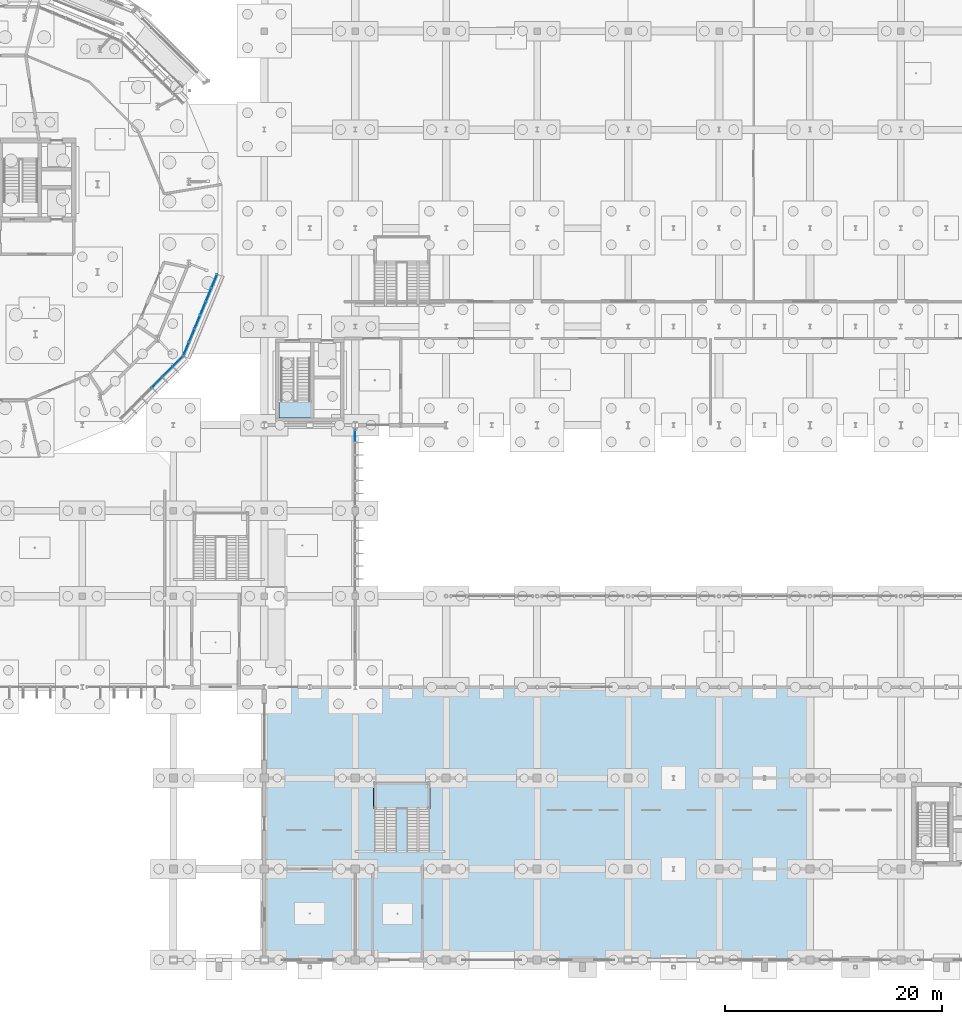
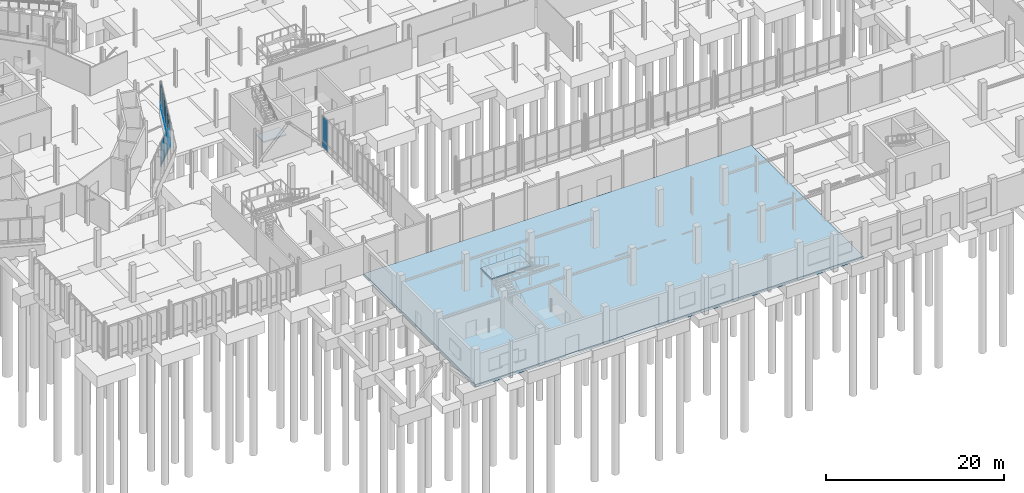
# One storey, part 67 of 119: 20 plates, 3 slabs, 5 elements without a shape of their own.
"""IFC4 building model written with IfcOpenShell, lengths in metres."""

from ifc_helpers import new_model, si_unit, derived_unit, direction, frame, origin, origin_2d, place, context, subcontext, project, spatial, polyline, rectangle, outline, extrude, material, layer, layer_set, type_object, element, aggregate, save


model = new_model("IFC4")

# Units and contexts
model_context = context("Model", 3, precision=1e-05, world=origin(), true_north=direction((0.0, 1.0)))
body_context = subcontext(model_context, "Body", "Model", "MODEL_VIEW")
ifc_project = project(units=[si_unit("LENGTHUNIT", "METRE"), si_unit("AREAUNIT", "SQUARE_METRE"), si_unit("VOLUMEUNIT", "CUBIC_METRE"), si_unit("PLANEANGLEUNIT", "RADIAN"), si_unit("MASSUNIT", "GRAM", prefix="KILO"), derived_unit("THERMALTRANSMITTANCEUNIT", [(si_unit("MASSUNIT", "GRAM", prefix="KILO"), 1), (si_unit("TIMEUNIT", "SECOND"), -3), (si_unit("THERMODYNAMICTEMPERATUREUNIT", "KELVIN"), -1)])], contexts=[model_context])

# Site, building, storey
site_placement = place(None, origin())
site = spatial("IfcSite", under=ifc_project, at=site_placement, CompositionType="ELEMENT")
building_placement = place(site_placement, origin())
building = spatial("IfcBuilding", under=site, at=building_placement, Name="Makaiwela Harbour Ferry Terminal", CompositionType="ELEMENT")
storey_placement = place(building_placement, origin())
storey = spatial("IfcBuildingStorey", under=building, at=storey_placement, Name="L00", CompositionType="ELEMENT", Elevation=0.0)

# Curtain wall, plates
ifc_material_1 = material(Name="Marine anodised aluminium 6063-T6", Category="aluminium")
ifc_layer_1 = layer(ifc_material_1, 0.199951171875)
ifc_layer_set_1 = layer_set([ifc_layer_1], Name="Marine anodised aluminium 6063-T6")
curtain_wall_type_1 = type_object("IfcCurtainWallType", Name="ENV-CW-01", PredefinedType="USERDEFINED", material=ifc_layer_set_1)
curtain_wall_1_placement = place(storey_placement, origin())
curtain_wall_1 = element("IfcCurtainWall", 1, at=curtain_wall_1_placement, inside=storey, type_object=curtain_wall_type_1, Name="Unitised Curtain Wall CWA-009", ObjectType="UNITIZED CURTAIN WALL", PredefinedType="USERDEFINED")
ifc_material_2 = material(Name="Laminated hurricane-impact low-E insulated glazing", Category="glass")
ifc_layer_2 = layer(ifc_material_2, 0.031982421875)
ifc_layer_set_2 = layer_set([ifc_layer_2], Name="Laminated hurricane-impact low-E insulated glazing")
plate_type_1 = type_object("IfcPlateType", Name="CW-PNL-G02", PredefinedType="CURTAIN_PANEL", material=ifc_layer_set_2)
plate_1_placement = place(storey_placement, frame((53.09326171875, 53.365234375, 1.900146484375), z_axis=(0.0, 0.0, 1.0), x_axis=(0.707106781187, 0.707106781187, 0.0)))
plate_1 = element("IfcPlate", 2, at=plate_1_placement, type_object=plate_type_1, Name="Glazed Vision Panel CWA-009-4G", PredefinedType="CURTAIN_PANEL", context=body_context, shape_type="SweptSolid", body=[
    extrude(rectangle(XDim=1.355712890625, YDim=0.031982421875, at=origin_2d()), origin(), (0.0, 0.0, 1.0), 2.919921875),
])
plate_2_placement = place(storey_placement, frame((54.0517578125, 54.323974609375, 1.900146484375), z_axis=(0.0, 0.0, 1.0), x_axis=(0.707106781187, 0.707106781187, 0.0)))
plate_2 = element("IfcPlate", 3, at=plate_2_placement, type_object=plate_type_1, Name="Glazed Vision Panel CWA-009-5G", PredefinedType="CURTAIN_PANEL", context=body_context, shape_type="SweptSolid", body=[
    extrude(rectangle(XDim=1.355712890625, YDim=0.031982421875, at=origin_2d()), origin(), (0.0, 0.0, 1.0), 2.919921875),
])
plate_3_placement = place(storey_placement, frame((55.010498046875, 55.282470703125, 1.900146484375), z_axis=(0.0, 0.0, 1.0), x_axis=(0.707106781187, 0.707106781187, 0.0)))
plate_3 = element("IfcPlate", 4, at=plate_3_placement, type_object=plate_type_1, Name="Glazed Vision Panel CWA-009-6G", PredefinedType="CURTAIN_PANEL", context=body_context, shape_type="SweptSolid", body=[
    extrude(rectangle(XDim=1.355712890625, YDim=0.031982421875, at=origin_2d()), origin(), (0.0, 0.0, 1.0), 2.919921875),
])

curtain_wall_2_placement = place(storey_placement, origin())
curtain_wall_2 = element("IfcCurtainWall", 5, at=curtain_wall_2_placement, inside=storey, type_object=curtain_wall_type_1, Name="Unitised Curtain Wall CWA-010", ObjectType="UNITIZED CURTAIN WALL", PredefinedType="USERDEFINED")
plate_4_placement = place(storey_placement, frame((55.78173828125, 56.43701171875, 1.900146484375), z_axis=(0.0, 0.0, 1.0), x_axis=(0.382683432365, 0.923879532511, 0.0)))
plate_4 = element("IfcPlate", 6, at=plate_4_placement, type_object=plate_type_1, Name="Glazed Vision Panel CWA-010-1G", PredefinedType="CURTAIN_PANEL", context=body_context, shape_type="SweptSolid", body=[
    extrude(rectangle(XDim=1.355712890625, YDim=0.031982421875, at=origin_2d()), origin(), (0.0, 0.0, 1.0), 2.919921875),
])
plate_5_placement = place(storey_placement, frame((56.300537109375, 57.689453125, 1.900146484375), z_axis=(0.0, 0.0, 1.0), x_axis=(0.382683432365, 0.923879532511, 0.0)))
plate_5 = element("IfcPlate", 7, at=plate_5_placement, type_object=plate_type_1, Name="Glazed Vision Panel CWA-010-2G", PredefinedType="CURTAIN_PANEL", context=body_context, shape_type="SweptSolid", body=[
    extrude(rectangle(XDim=1.355712890625, YDim=0.031982421875, at=origin_2d()), origin(), (0.0, 0.0, 1.0), 2.919921875),
])
plate_6_placement = place(storey_placement, frame((56.8193359375, 58.94189453125, 1.900146484375), z_axis=(0.0, 0.0, 1.0), x_axis=(0.382683432365, 0.923879532511, 0.0)))
plate_6 = element("IfcPlate", 8, at=plate_6_placement, type_object=plate_type_1, Name="Glazed Vision Panel CWA-010-3G", PredefinedType="CURTAIN_PANEL", context=body_context, shape_type="SweptSolid", body=[
    extrude(rectangle(XDim=1.355712890625, YDim=0.031982421875, at=origin_2d()), origin(), (0.0, 0.0, 1.0), 2.919921875),
])
plate_7_placement = place(storey_placement, frame((57.338134765625, 60.1943359375, 1.900146484375), z_axis=(0.0, 0.0, 1.0), x_axis=(0.382683432365, 0.923879532511, 0.0)))
plate_7 = element("IfcPlate", 9, at=plate_7_placement, type_object=plate_type_1, Name="Glazed Vision Panel CWA-010-4G", PredefinedType="CURTAIN_PANEL", context=body_context, shape_type="SweptSolid", body=[
    extrude(rectangle(XDim=1.355712890625, YDim=0.031982421875, at=origin_2d()), origin(), (0.0, 0.0, 1.0), 2.919921875),
])
plate_8_placement = place(storey_placement, frame((57.856689453125, 61.44677734375, 1.900146484375), z_axis=(0.0, 0.0, 1.0), x_axis=(0.382683432365, 0.923879532511, 0.0)))
plate_8 = element("IfcPlate", 10, at=plate_8_placement, type_object=plate_type_1, Name="Glazed Vision Panel CWA-010-5G", PredefinedType="CURTAIN_PANEL", context=body_context, shape_type="SweptSolid", body=[
    extrude(rectangle(XDim=1.355712890625, YDim=0.031982421875, at=origin_2d()), origin(), (0.0, 0.0, 1.0), 2.919921875),
])
plate_9_placement = place(storey_placement, frame((58.37548828125, 62.69921875, 1.900146484375), z_axis=(0.0, 0.0, 1.0), x_axis=(0.382683432365, 0.923879532511, 0.0)))
plate_9 = element("IfcPlate", 11, at=plate_9_placement, type_object=plate_type_1, Name="Glazed Vision Panel CWA-010-6G", PredefinedType="CURTAIN_PANEL", context=body_context, shape_type="SweptSolid", body=[
    extrude(rectangle(XDim=1.355712890625, YDim=0.031982421875, at=origin_2d()), origin(), (0.0, 0.0, 1.0), 2.919921875),
])

# Curtain wall, plate
ifc_layer_3 = layer(ifc_material_1, 0.199951171875)
ifc_layer_set_3 = layer_set([ifc_layer_3], Name="Marine anodised aluminium 6063-T6")
curtain_wall_type_2 = type_object("IfcCurtainWallType", Name="ENV-CW-12", PredefinedType="USERDEFINED", material=ifc_layer_set_3)
curtain_wall_3_placement = place(storey_placement, origin())
curtain_wall_3 = element("IfcCurtainWall", 12, at=curtain_wall_3_placement, inside=storey, type_object=curtain_wall_type_2, Name="Unitised Curtain Wall CWA-111", ObjectType="UNITIZED CURTAIN WALL", PredefinedType="USERDEFINED")
ifc_layer_4 = layer(ifc_material_2, 0.031982421875)
ifc_layer_set_4 = layer_set([ifc_layer_4], Name="Laminated hurricane-impact low-E insulated glazing")
plate_type_2 = type_object("IfcPlateType", Name="CW-PNL-G17", PredefinedType="CURTAIN_PANEL", material=ifc_layer_set_4)
plate_10_placement = place(storey_placement, frame((71.39990234375, 48.3916015625, 0.949951171875), z_axis=(0.0, 0.0, 1.0), x_axis=(0.0, -1.0, 0.0)))
plate_10 = element("IfcPlate", 13, at=plate_10_placement, type_object=plate_type_2, Name="Glazed Vision Panel CWA-111-1G", PredefinedType="CURTAIN_PANEL", context=body_context, shape_type="SweptSolid", body=[
    extrude(rectangle(XDim=1.1767578125, YDim=0.031982421875, at=origin_2d()), origin(), (0.0, 0.0, 1.0), 3.39990234375),
])

# Plate
ifc_material_3 = material(Name="Insulated marine aluminium spandrel panel", Category="aluminium")
ifc_layer_5 = layer(ifc_material_3, 0.048095703125)
ifc_layer_set_5 = layer_set([ifc_layer_5], Name="Insulated marine aluminium spandrel panel")
plate_type_3 = type_object("IfcPlateType", Name="CW-PNL-S01", PredefinedType="CURTAIN_PANEL", material=ifc_layer_set_5)
plate_11_placement = place(storey_placement, frame((53.09326171875, 53.365234375, 1.47998046875), z_axis=(0.0, 0.0, 1.0), x_axis=(0.707106781187, 0.707106781187, 0.0)))
plate_11 = element("IfcPlate", 14, at=plate_11_placement, type_object=plate_type_3, Name="Spandrel Panel CWA-009-4S", PredefinedType="CURTAIN_PANEL", context=body_context, shape_type="SweptSolid", body=[
    extrude(rectangle(XDim=1.355712890625, YDim=0.048095703125, at=origin_2d()), origin(), (0.0, 0.0, 1.0), 0.419921875),
])

plate_12_placement = place(storey_placement, frame((54.0517578125, 54.323974609375, 1.47998046875), z_axis=(0.0, 0.0, 1.0), x_axis=(0.707106781187, 0.707106781187, 0.0)))
plate_12 = element("IfcPlate", 15, at=plate_12_placement, type_object=plate_type_3, Name="Spandrel Panel CWA-009-5S", PredefinedType="CURTAIN_PANEL", context=body_context, shape_type="SweptSolid", body=[
    extrude(rectangle(XDim=1.355712890625, YDim=0.048095703125, at=origin_2d()), origin(), (0.0, 0.0, 1.0), 0.419921875),
])

plate_13_placement = place(storey_placement, frame((55.010498046875, 55.282470703125, 1.47998046875), z_axis=(0.0, 0.0, 1.0), x_axis=(0.707106781187, 0.707106781187, 0.0)))
plate_13 = element("IfcPlate", 16, at=plate_13_placement, type_object=plate_type_3, Name="Spandrel Panel CWA-009-6S", PredefinedType="CURTAIN_PANEL", context=body_context, shape_type="SweptSolid", body=[
    extrude(rectangle(XDim=1.355712890625, YDim=0.048095703125, at=origin_2d()), origin(), (0.0, 0.0, 1.0), 0.419921875),
])

aggregate(curtain_wall_1, [plate_11, plate_1, plate_12, plate_2, plate_13, plate_3])

plate_14_placement = place(storey_placement, frame((55.78173828125, 56.43701171875, 1.47998046875), z_axis=(0.0, 0.0, 1.0), x_axis=(0.382683432365, 0.923879532511, 0.0)))
plate_14 = element("IfcPlate", 17, at=plate_14_placement, type_object=plate_type_3, Name="Spandrel Panel CWA-010-1S", PredefinedType="CURTAIN_PANEL", context=body_context, shape_type="SweptSolid", body=[
    extrude(rectangle(XDim=1.355712890625, YDim=0.048095703125, at=origin_2d()), origin(), (0.0, 0.0, 1.0), 0.419921875),
])

plate_15_placement = place(storey_placement, frame((56.300537109375, 57.689453125, 1.47998046875), z_axis=(0.0, 0.0, 1.0), x_axis=(0.382683432365, 0.923879532511, 0.0)))
plate_15 = element("IfcPlate", 18, at=plate_15_placement, type_object=plate_type_3, Name="Spandrel Panel CWA-010-2S", PredefinedType="CURTAIN_PANEL", context=body_context, shape_type="SweptSolid", body=[
    extrude(rectangle(XDim=1.355712890625, YDim=0.048095703125, at=origin_2d()), origin(), (0.0, 0.0, 1.0), 0.419921875),
])

plate_16_placement = place(storey_placement, frame((56.8193359375, 58.94189453125, 1.47998046875), z_axis=(0.0, 0.0, 1.0), x_axis=(0.382683432365, 0.923879532511, 0.0)))
plate_16 = element("IfcPlate", 19, at=plate_16_placement, type_object=plate_type_3, Name="Spandrel Panel CWA-010-3S", PredefinedType="CURTAIN_PANEL", context=body_context, shape_type="SweptSolid", body=[
    extrude(rectangle(XDim=1.355712890625, YDim=0.048095703125, at=origin_2d()), origin(), (0.0, 0.0, 1.0), 0.419921875),
])

plate_17_placement = place(storey_placement, frame((57.338134765625, 60.1943359375, 1.47998046875), z_axis=(0.0, 0.0, 1.0), x_axis=(0.382683432365, 0.923879532511, 0.0)))
plate_17 = element("IfcPlate", 20, at=plate_17_placement, type_object=plate_type_3, Name="Spandrel Panel CWA-010-4S", PredefinedType="CURTAIN_PANEL", context=body_context, shape_type="SweptSolid", body=[
    extrude(rectangle(XDim=1.355712890625, YDim=0.048095703125, at=origin_2d()), origin(), (0.0, 0.0, 1.0), 0.419921875),
])

plate_18_placement = place(storey_placement, frame((57.856689453125, 61.44677734375, 1.47998046875), z_axis=(0.0, 0.0, 1.0), x_axis=(0.382683432365, 0.923879532511, 0.0)))
plate_18 = element("IfcPlate", 21, at=plate_18_placement, type_object=plate_type_3, Name="Spandrel Panel CWA-010-5S", PredefinedType="CURTAIN_PANEL", context=body_context, shape_type="SweptSolid", body=[
    extrude(rectangle(XDim=1.355712890625, YDim=0.048095703125, at=origin_2d()), origin(), (0.0, 0.0, 1.0), 0.419921875),
])

plate_19_placement = place(storey_placement, frame((58.37548828125, 62.69921875, 1.47998046875), z_axis=(0.0, 0.0, 1.0), x_axis=(0.382683432365, 0.923879532511, 0.0)))
plate_19 = element("IfcPlate", 22, at=plate_19_placement, type_object=plate_type_3, Name="Spandrel Panel CWA-010-6S", PredefinedType="CURTAIN_PANEL", context=body_context, shape_type="SweptSolid", body=[
    extrude(rectangle(XDim=1.355712890625, YDim=0.048095703125, at=origin_2d()), origin(), (0.0, 0.0, 1.0), 0.419921875),
])

aggregate(curtain_wall_2, [plate_14, plate_4, plate_15, plate_5, plate_16, plate_6, plate_17, plate_7, plate_18, plate_8, plate_19, plate_9])

ifc_layer_6 = layer(ifc_material_3, 0.048095703125)
ifc_layer_set_6 = layer_set([ifc_layer_6], Name="Insulated marine aluminium spandrel panel")
plate_type_4 = type_object("IfcPlateType", Name="CW-PNL-S16", PredefinedType="CURTAIN_PANEL", material=ifc_layer_set_6)
plate_20_placement = place(storey_placement, frame((71.39990234375, 48.3916015625, 0.0), z_axis=(0.0, 0.0, 1.0), x_axis=(0.0, -1.0, 0.0)))
plate_20 = element("IfcPlate", 23, at=plate_20_placement, type_object=plate_type_4, Name="Spandrel Panel CWA-111-1S", PredefinedType="CURTAIN_PANEL", context=body_context, shape_type="SweptSolid", body=[
    extrude(rectangle(XDim=1.1767578125, YDim=0.048095703125, at=origin_2d()), origin(), (0.0, 0.0, 1.0), 0.949951171875),
])

aggregate(curtain_wall_3, [plate_20, plate_10])

# Slab
ifc_material_4 = material(Name="Concrete f'c 35 MPa (5000 psi)", Category="concrete")
ifc_layer_7 = layer(ifc_material_4, 0.39990234375)
ifc_layer_set_7 = layer_set([ifc_layer_7], Name="Concrete f'c 35 MPa (5000 psi)")
slab_type_1 = type_object("IfcSlabType", Name="SLB-BASE-400", PredefinedType="BASESLAB", material=ifc_layer_set_7)
slab_1_placement = place(storey_placement, frame((0.0, 0.0, -0.39990234375)))
element("IfcSlab", 24, at=slab_1_placement, inside=storey, type_object=slab_type_1, Name="Slab SLB-007", PredefinedType="BASESLAB", context=body_context, shape_type="SweptSolid", body=[
    extrude(outline(polyline([(71.39990234375, 25.197998046875), (63.0, 25.197998046875), (63.0, 0.0), (113.39990234375, 0.0), (113.39990234375, 25.199951171875), (71.39990234375, 25.197998046875)])), origin(), (0.0, 0.0, 1.0), 0.39990234375),
])

# Stair, slab
stair_type_1 = type_object("IfcStairType", Name="CIR-STR-A05", PredefinedType="HALF_TURN_STAIR", material=ifc_material_4)
stair_1_placement = place(storey_placement, origin())
stair_1 = element("IfcStair", 25, at=stair_1_placement, inside=storey, type_object=stair_type_1, Name="Stair ST-04-L00", PredefinedType="HALF_TURN_STAIR")
ifc_layer_8 = layer(ifc_material_4, 0.14990234375)
ifc_layer_set_8 = layer_set([ifc_layer_8], Name="Concrete f'c 35 MPa (5000 psi)")
slab_type_2 = type_object("IfcSlabType", Name="SLB-LND-150", PredefinedType="LANDING", material=ifc_layer_set_8)
slab_2_placement = place(storey_placement, frame((0.0, 0.0, 2.39990234375)))
slab_2 = element("IfcSlab", 26, at=slab_2_placement, type_object=slab_type_2, Name="Stair Half Landing LND-16", PredefinedType="LANDING", context=body_context, shape_type="SweptSolid", body=[
    extrude(outline(polyline([(64.344970703125, 50.044921875), (67.294921875, 50.044921875), (67.294921875, 51.659912109375), (64.344970703125, 51.659912109375), (64.344970703125, 50.044921875)])), origin(), (0.0, 0.0, 1.0), 0.150146484375),
])
aggregate(stair_1, [slab_2])

stair_type_2 = type_object("IfcStairType", Name="CIR-STR-A10", PredefinedType="STRAIGHT_RUN_STAIR", material=ifc_material_4)
stair_2_placement = place(storey_placement, origin())
stair_2 = element("IfcStair", 27, at=stair_2_placement, inside=storey, type_object=stair_type_2, Name="Stair ST-07-L00", PredefinedType="STRAIGHT_RUN_STAIR")
slab_3_placement = place(storey_placement, frame((0.0, 0.0, 2.39990234375)))
slab_3 = element("IfcSlab", 28, at=slab_3_placement, type_object=slab_type_2, Name="Stair Half Landing LND-23", PredefinedType="LANDING", context=body_context, shape_type="SweptSolid", body=[
    extrude(outline(polyline([(73.10009765625, 13.9599609375), (78.300048828125, 13.9599609375), (78.300048828125, 16.449951171875), (73.10009765625, 16.449951171875), (73.10009765625, 13.9599609375)])), origin(), (0.0, 0.0, 1.0), 0.150146484375),
])
aggregate(stair_2, [slab_3])

save(model, "model.ifc")
